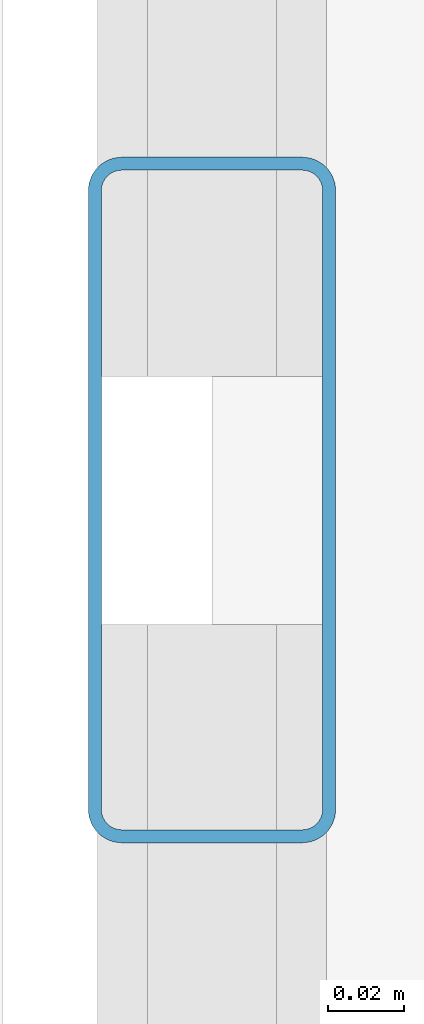
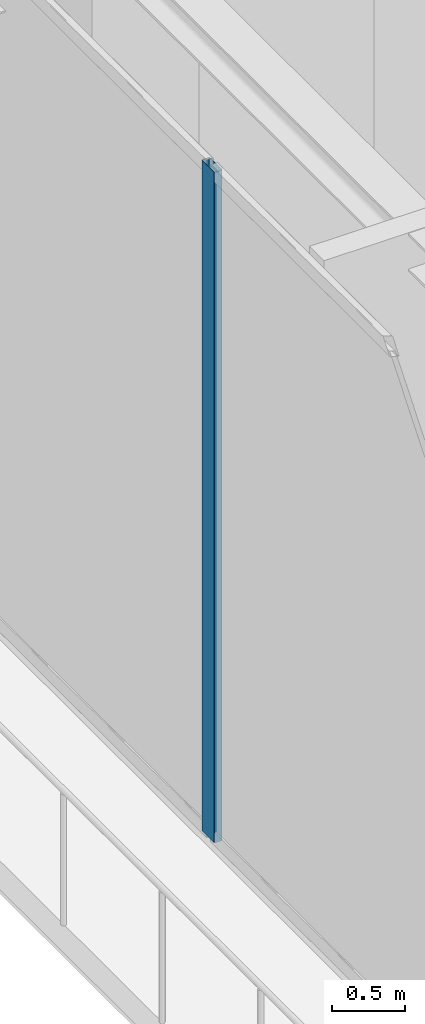
# One storey, part 4 of 40: 1 member, 1 element without a shape of its own.
"""IFC4 building model written with IfcOpenShell, lengths in metres."""

from ifc_helpers import new_model, si_unit, direction, frame, origin, origin_2d, place, context, subcontext, project, spatial, hollow_rectangle, extrude, source, transform, mapped, material, layer, layer_set, material_profile, profile_set, type_object, element, aggregate, save


model = new_model("IFC4")

# Units and contexts
model_context = context("Model", 3, precision=1e-05, world=origin(), true_north=direction((0.0, 1.0)))
body_context = subcontext(model_context, "Body", "Model", "MODEL_VIEW")
ifc_project = project(units=[si_unit("LENGTHUNIT", "METRE"), si_unit("AREAUNIT", "SQUARE_METRE"), si_unit("VOLUMEUNIT", "CUBIC_METRE"), si_unit("PLANEANGLEUNIT", "RADIAN"), si_unit("MASSUNIT", "GRAM", prefix="KILO")], contexts=[model_context])

# Site, building, storey
site_placement = place(None, origin())
site = spatial("IfcSite", under=ifc_project, at=site_placement, CompositionType="ELEMENT")
building_placement = place(site_placement, origin())
building = spatial("IfcBuilding", under=site, at=building_placement, Name="Serunith Strait Residences", CompositionType="ELEMENT")
storey_placement = place(building_placement, frame((0.0, 0.0, 347.949951171875)))
storey = spatial("IfcBuildingStorey", under=building, at=storey_placement, Name="L86", CompositionType="ELEMENT", Elevation=347.949951171875)

# Curtain wall, member
ifc_material = material(Name="Brushed Stainless-Silver Aluminium", Category="aluminium")
ifc_layer = layer(ifc_material, 0.199951171875, Name="Brushed Stainless-Silver Aluminium")
ifc_layer_set = layer_set([ifc_layer], Name="Brushed Stainless-Silver Aluminium")
curtain_wall_type = type_object("IfcCurtainWallType", Name="CW-SYS5", PredefinedType="NOTDEFINED", material=ifc_layer_set)
curtain_wall_placement = place(storey_placement, origin())
curtain_wall = element("IfcCurtainWall", 1, at=curtain_wall_placement, inside=storey, type_object=curtain_wall_type, Name="L86 W Unitised Fritted Curtain Wall", PredefinedType="NOTDEFINED")
ifc_material_profile = material_profile(ifc_material, hollow_rectangle(XDim=0.06494140625, YDim=0.179931640625, WallThickness=0.00341796875, InnerFilletRadius=0.00537109375, OuterFilletRadius=0.0087890625, at=origin_2d()), Name="ALU 180x65x3.5")
ifc_profile_set = profile_set([ifc_material_profile], Name="Brushed Stainless-Silver Aluminium")
member_type = type_object("IfcMemberType", Name="CW-SYS5-MULL", PredefinedType="MULLION", material=ifc_profile_set)
shared_shape = source(origin(), body_context, "Body", "SweptSolid", [
    extrude(hollow_rectangle(XDim=0.06494140625, YDim=0.179931640625, WallThickness=0.00341796875, InnerFilletRadius=0.00537109375, OuterFilletRadius=0.0087890625, at=origin_2d()), origin(), (0.0, 0.0, 1.0), 5.625),
])
member_placement = place(storey_placement, frame((10.800048828125, 18.10009765625, 0.0), z_axis=(0.0, 0.0, 1.0), x_axis=(1.0, 0.0, 0.0)))
member = element("IfcMember", 2, at=member_placement, type_object=member_type, Name="CW-5 mullion 4", PredefinedType="MULLION", context=body_context, shape_type="MappedRepresentation", body=[
    mapped(shared_shape, transform((0.0, 0.0, 0.0), scale=1.0)),
])
aggregate(curtain_wall, [member])

save(model, "model.ifc")
